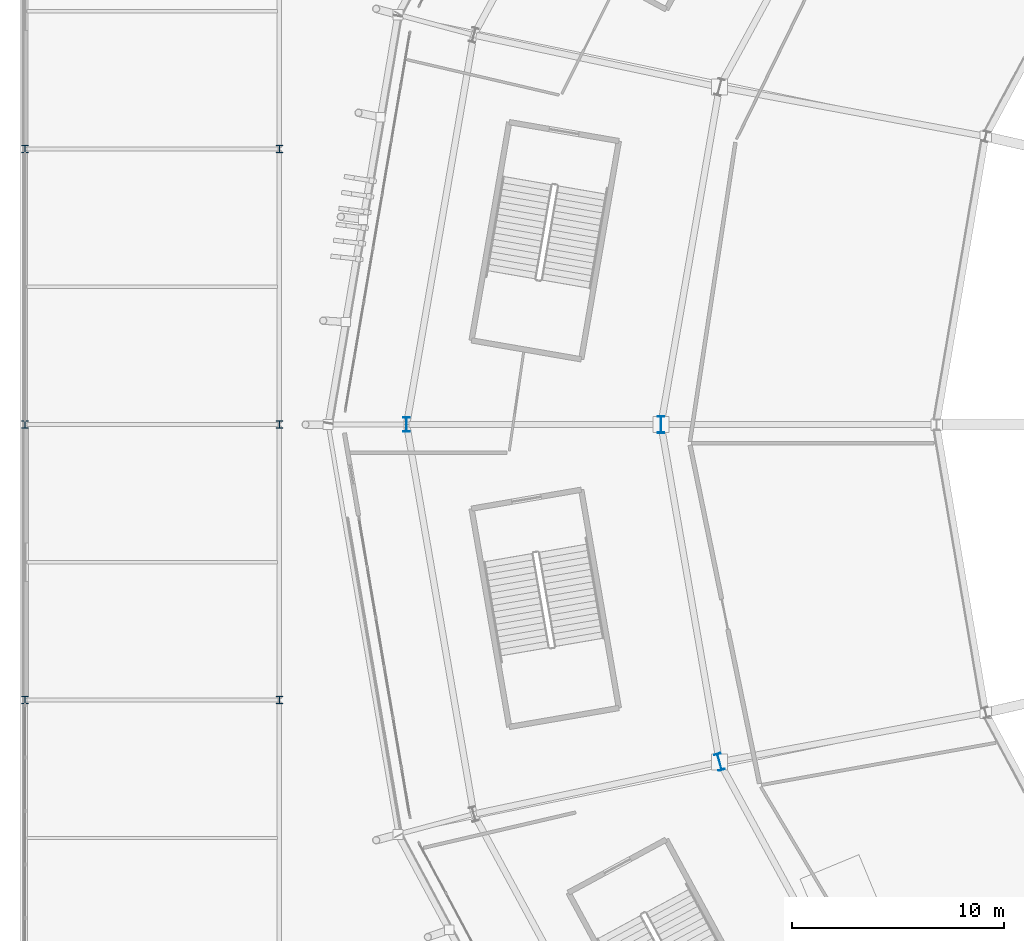
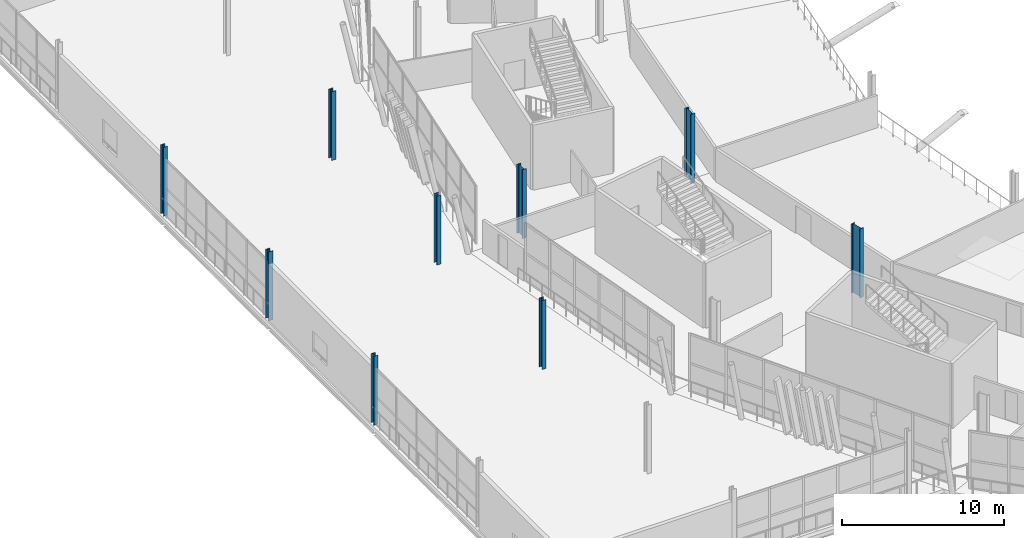
# One storey, part 5 of 168: 9 columns.
"""IFC4 building model written with IfcOpenShell, lengths in metres."""

from ifc_helpers import new_model, si_unit, direction, frame, origin, origin_2d, place, context, subcontext, project, spatial, i_section, extrude, material, material_profile, profile_set, type_object, element, save


model = new_model("IFC4")

# Units and contexts
model_context = context("Model", 3, precision=1e-05, world=origin(), true_north=direction((0.0, 1.0)))
body_context = subcontext(model_context, "Body", "Model", "MODEL_VIEW")
ifc_project = project(units=[si_unit("LENGTHUNIT", "METRE"), si_unit("AREAUNIT", "SQUARE_METRE"), si_unit("VOLUMEUNIT", "CUBIC_METRE"), si_unit("PLANEANGLEUNIT", "RADIAN"), si_unit("MASSUNIT", "GRAM", prefix="KILO")], contexts=[model_context])

# Site, building, storey
site_placement = place(None, origin())
site = spatial("IfcSite", under=ifc_project, at=site_placement, CompositionType="ELEMENT")
building_placement = place(site_placement, origin())
building = spatial("IfcBuilding", under=site, at=building_placement, Name="Zlatoyarsky Gate Stadium", CompositionType="ELEMENT")
storey_placement = place(building_placement, frame((0.0, 0.0, 15.60009765625)))
storey = spatial("IfcBuildingStorey", under=building, at=storey_placement, Name="L03", CompositionType="ELEMENT", Elevation=15.60009765625)

# Columns
ifc_material = material(Name="Steel S355", Category="steel")
ifc_material_profile_1 = material_profile(ifc_material, i_section(OverallWidth=0.300048828125, OverallDepth=0.360107421875, WebThickness=0.012451171875, FlangeThickness=0.0224609375, FilletRadius=0.027099609375, at=origin_2d()), Name="HEB 360")
ifc_profile_set_1 = profile_set([ifc_material_profile_1], Name="Steel S355")
column_type_1 = type_object("IfcColumnType", Name="STEEL COLUMN HEB 360", PredefinedType="COLUMN", material=ifc_profile_set_1)
for number, where, z_axis, x_axis, name in (
    (1, (0.0, 67.0, 0.0), (0.0, 0.0, 1.0), (1.0, 0.0, 0.0), "Column ST-C360 WG-1-G on L03"),
    (2, (0.0, 80.0, 0.0), (0.0, 0.0, 1.0), (1.0, 0.0, 0.0), "Column ST-C360 WG-1-H on L03"),
    (3, (0.0, 93.0, 0.0), (0.0, 0.0, 1.0), (1.0, 0.0, 0.0), "Column ST-C360 WG-1-J on L03"),
    (4, (12.0, 67.0, 0.0), (0.0, 0.0, 1.0), (1.0, 0.0, 0.0), "Column ST-C360 WG-2-G on L03"),
    (5, (12.0, 80.0, 0.0), (0.0, 0.0, 1.0), (1.0, 0.0, 0.0), "Column ST-C360 WG-2-H on L03"),
    (6, (12.0, 93.0, 0.0), (0.0, 0.0, 1.0), (1.0, 0.0, 0.0), "Column ST-C360 WG-2-J on L03"),
):
    element("IfcColumn", number, at=place(storey_placement, frame(where, z_axis=z_axis, x_axis=x_axis)), inside=storey, type_object=column_type_1, Name=name, PredefinedType="COLUMN", context=body_context, shape_type="SweptSolid", body=[
        extrude(i_section(OverallWidth=0.300048828125, OverallDepth=0.360107421875, WebThickness=0.012451171875, FlangeThickness=0.0224609375, FilletRadius=0.027099609375, at=origin_2d()), origin(), (0.0, 0.0, 1.0), 5.199951171875),
    ])
ifc_material_profile_2 = material_profile(ifc_material, i_section(OverallWidth=0.300048828125, OverallDepth=0.699951171875, WebThickness=0.01708984375, FlangeThickness=0.031982421875, FilletRadius=0.027099609375, at=origin_2d()), Name="HEB 700")
ifc_profile_set_2 = profile_set([ifc_material_profile_2], Name="Steel S355")
column_type_2 = type_object("IfcColumnType", Name="STEEL COLUMN HEB 700", PredefinedType="COLUMN", material=ifc_profile_set_2)
column_placement = place(storey_placement, frame((18.0, 80.0, 0.0), z_axis=(0.0, 0.0, 1.0), x_axis=(-1.0, 0.0, 0.0)))
element("IfcColumn", 7, at=column_placement, inside=storey, type_object=column_type_2, Name="Column ST-C700 RC-12 on L03", PredefinedType="COLUMN", context=body_context, shape_type="SweptSolid", body=[
    extrude(i_section(OverallWidth=0.300048828125, OverallDepth=0.699951171875, WebThickness=0.01708984375, FlangeThickness=0.031982421875, FilletRadius=0.027099609375, at=origin_2d()), origin(), (0.0, 0.0, 1.0), 5.199951171875),
])
ifc_material_profile_3 = material_profile(ifc_material, i_section(OverallWidth=0.300048828125, OverallDepth=0.800048828125, WebThickness=0.017578125, FlangeThickness=0.032958984375, FilletRadius=0.030029296875, at=origin_2d()), Name="HEB 800")
ifc_profile_set_3 = profile_set([ifc_material_profile_3], Name="Steel S355")
column_type_3 = type_object("IfcColumnType", Name="STEEL COLUMN HEB 800", PredefinedType="COLUMN", material=ifc_profile_set_3)
for number, where, z_axis, x_axis, name in (
    (8, (30.0, 80.0, 0.0), (0.0, 0.0, 1.0), (-1.0, 0.0, 0.0), "Column ST-C800 RB-12 on L03"),
    (9, (32.760009765625, 64.08251953125, 0.0), (0.0, 0.0, 1.0), (-0.965925826289, -0.258819045103, 0.0), "Column ST-C800 RB-13 on L03"),
):
    element("IfcColumn", number, at=place(storey_placement, frame(where, z_axis=z_axis, x_axis=x_axis)), inside=storey, type_object=column_type_3, Name=name, PredefinedType="COLUMN", context=body_context, shape_type="SweptSolid", body=[
        extrude(i_section(OverallWidth=0.300048828125, OverallDepth=0.800048828125, WebThickness=0.017578125, FlangeThickness=0.032958984375, FilletRadius=0.030029296875, at=origin_2d()), origin(), (0.0, 0.0, 1.0), 5.199951171875),
    ])

save(model, "model.ifc")
